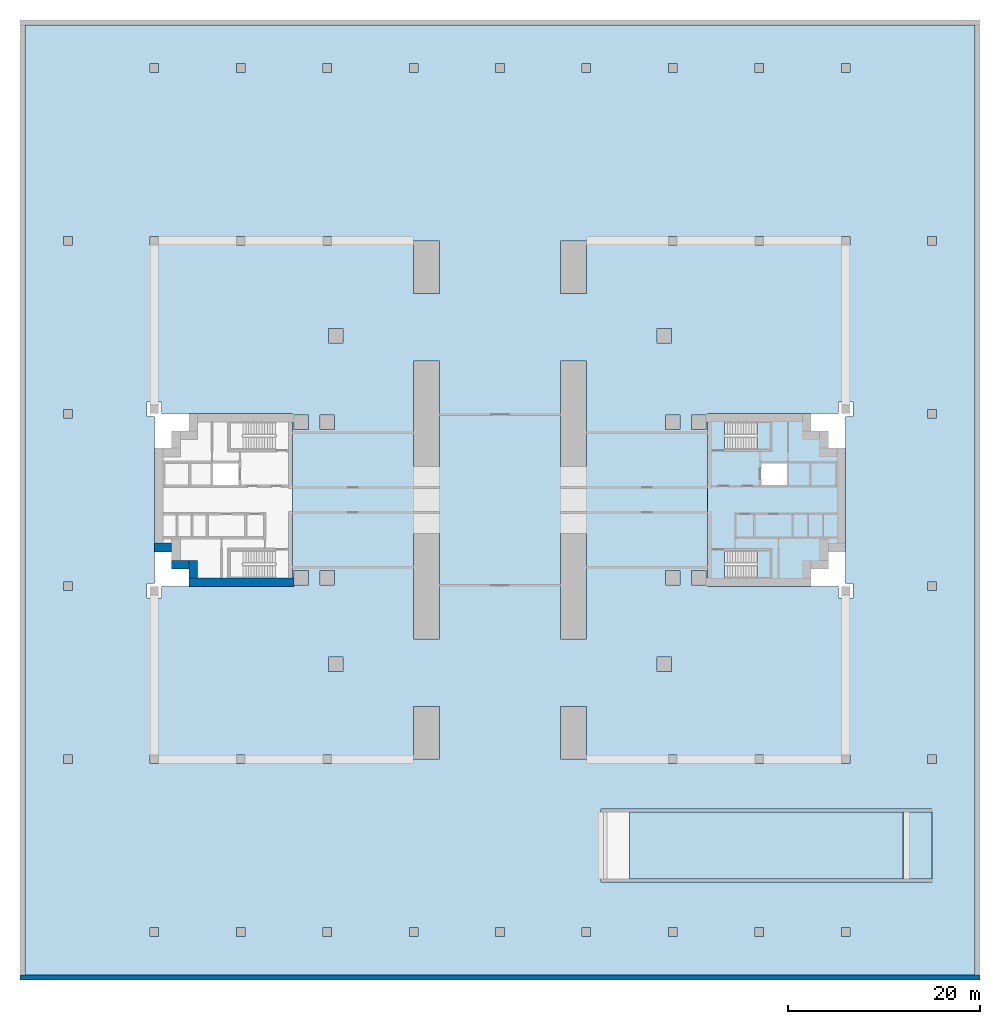
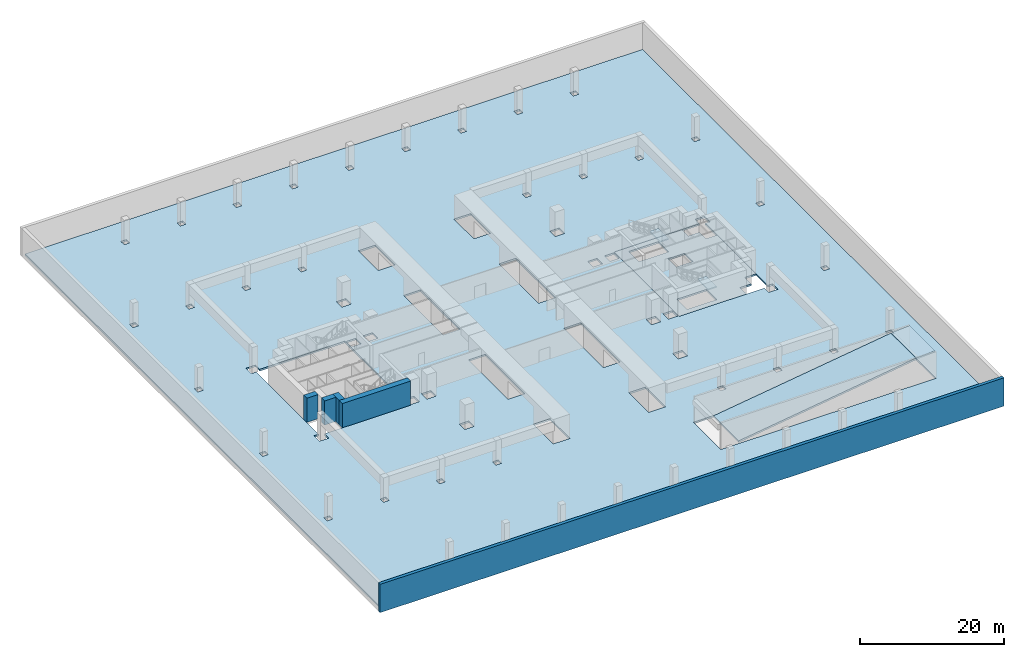
# One storey, part 2 of 9: 6 slabs, 5 walls, 2 elements without a shape of their own.
"""IFC4 building model written with IfcOpenShell, lengths in metres."""

from ifc_helpers import new_model, si_unit, direction, frame, frame_2d, origin, place, context, subcontext, project, spatial, polyline, rectangle, outline, extrude, material, layer, layer_set, type_object, element, aggregate, save


model = new_model("IFC4")

# Units and contexts
model_context = context("Model", 3, precision=1e-05, world=origin(), true_north=direction((0.0, 1.0)))
body_context = subcontext(model_context, "Body", "Model", "MODEL_VIEW")
ifc_project = project(units=[si_unit("LENGTHUNIT", "METRE"), si_unit("AREAUNIT", "SQUARE_METRE"), si_unit("VOLUMEUNIT", "CUBIC_METRE"), si_unit("PLANEANGLEUNIT", "RADIAN"), si_unit("MASSUNIT", "GRAM", prefix="KILO")], contexts=[model_context])

# Site, building, storey
site_placement = place(None, origin())
site = spatial("IfcSite", under=ifc_project, at=site_placement, CompositionType="ELEMENT")
building_placement = place(site_placement, origin())
building = spatial("IfcBuilding", under=site, at=building_placement, Name="Perihelion Cross Residences", CompositionType="ELEMENT")
storey_placement = place(building_placement, frame((0.0, 0.0, -4.5)))
storey = spatial("IfcBuildingStorey", under=building, at=storey_placement, Name="B1", CompositionType="ELEMENT", Elevation=-4.5)

# Slabs
ifc_material_1 = material(Name="Concrete C40/50", Category="concrete")
ifc_layer_1 = layer(ifc_material_1, 0.300048828125)
ifc_layer_set_1 = layer_set([ifc_layer_1], Name="Basement flat plate concrete C40/50")
slab_type_1 = type_object("IfcSlabType", Name="Basement flat plate concrete C40/50", PredefinedType="FLOOR", material=ifc_layer_set_1)
slab_1_placement = place(storey_placement, frame((0.0, 0.0, -0.300048828125)))
element("IfcSlab", 1, at=slab_1_placement, inside=storey, type_object=slab_type_1, Name="Slab SL2 B1 1 no. 1", PredefinedType="FLOOR", context=body_context, shape_type="SweptSolid", body=[
    extrude(outline(polyline([(-49.5, -49.5), (-49.5, 49.5), (49.5, 49.5), (49.5, -49.5), (-49.5, -49.5)]), holes=[polyline([(-18.449951171875, -45.449951171875), (-17.550048828125, -45.449951171875), (-17.550048828125, -44.550048828125), (-18.449951171875, -44.550048828125), (-18.449951171875, -45.449951171875)]), polyline([(-36.449951171875, -45.449951171875), (-35.550048828125, -45.449951171875), (-35.550048828125, -44.550048828125), (-36.449951171875, -44.550048828125), (-36.449951171875, -45.449951171875)]), polyline([(-27.449951171875, -45.449951171875), (-26.550048828125, -45.449951171875), (-26.550048828125, -44.550048828125), (-27.449951171875, -44.550048828125), (-27.449951171875, -45.449951171875)]), polyline([(-45.449951171875, -27.449951171875), (-44.550048828125, -27.449951171875), (-44.550048828125, -26.550048828125), (-45.449951171875, -26.550048828125), (-45.449951171875, -27.449951171875)]), polyline([(-18.449951171875, -27.449951171875), (-17.550048828125, -27.449951171875), (-17.550048828125, -26.550048828125), (-18.449951171875, -26.550048828125), (-18.449951171875, -27.449951171875)]), polyline([(-36.449951171875, -27.449951171875), (-35.550048828125, -27.449951171875), (-35.550048828125, -26.550048828125), (-36.449951171875, -26.550048828125), (-36.449951171875, -27.449951171875)]), polyline([(-27.449951171875, -27.449951171875), (-26.550048828125, -27.449951171875), (-26.550048828125, -26.550048828125), (-27.449951171875, -26.550048828125), (-27.449951171875, -27.449951171875)]), polyline([(-36.75, -10.199951171875), (-35.25, -10.199951171875), (-35.25, -9.0), (-21.60009765625, -9.0), (-21.60009765625, 9.0), (-35.25, 9.0), (-35.25, 10.199951171875), (-36.75, 10.199951171875), (-36.75, 8.699951171875), (-36.0, 8.699951171875), (-36.0, -8.699951171875), (-36.75, -8.699951171875), (-36.75, -10.199951171875)]), polyline([(-45.449951171875, -9.449951171875), (-44.550048828125, -9.449951171875), (-44.550048828125, -8.550048828125), (-45.449951171875, -8.550048828125), (-45.449951171875, -9.449951171875)]), polyline([(-21.449951171875, -8.85009765625), (-19.949951171875, -8.85009765625), (-19.949951171875, -7.35009765625), (-21.449951171875, -7.35009765625), (-21.449951171875, -8.85009765625)]), polyline([(-18.75, 7.35009765625), (-17.25, 7.35009765625), (-17.25, 8.85009765625), (-18.75, 8.85009765625), (-18.75, 7.35009765625)]), polyline([(-21.449951171875, 7.35009765625), (-19.949951171875, 7.35009765625), (-19.949951171875, 8.85009765625), (-21.449951171875, 8.85009765625), (-21.449951171875, 7.35009765625)]), polyline([(-45.449951171875, 8.550048828125), (-44.550048828125, 8.550048828125), (-44.550048828125, 9.449951171875), (-45.449951171875, 9.449951171875), (-45.449951171875, 8.550048828125)]), polyline([(-27.449951171875, 26.550048828125), (-26.550048828125, 26.550048828125), (-26.550048828125, 27.449951171875), (-27.449951171875, 27.449951171875), (-27.449951171875, 26.550048828125)]), polyline([(-36.449951171875, 26.550048828125), (-35.550048828125, 26.550048828125), (-35.550048828125, 27.449951171875), (-36.449951171875, 27.449951171875), (-36.449951171875, 26.550048828125)]), polyline([(-18.449951171875, 26.550048828125), (-17.550048828125, 26.550048828125), (-17.550048828125, 27.449951171875), (-18.449951171875, 27.449951171875), (-18.449951171875, 26.550048828125)]), polyline([(-45.449951171875, 26.550048828125), (-44.550048828125, 26.550048828125), (-44.550048828125, 27.449951171875), (-45.449951171875, 27.449951171875), (-45.449951171875, 26.550048828125)]), polyline([(-27.449951171875, 44.550048828125), (-26.550048828125, 44.550048828125), (-26.550048828125, 45.449951171875), (-27.449951171875, 45.449951171875), (-27.449951171875, 44.550048828125)]), polyline([(-36.449951171875, 44.550048828125), (-35.550048828125, 44.550048828125), (-35.550048828125, 45.449951171875), (-36.449951171875, 45.449951171875), (-36.449951171875, 44.550048828125)]), polyline([(-18.449951171875, 44.550048828125), (-17.550048828125, 44.550048828125), (-17.550048828125, 45.449951171875), (-18.449951171875, 45.449951171875), (-18.449951171875, 44.550048828125)]), polyline([(17.550048828125, -45.449951171875), (18.449951171875, -45.449951171875), (18.449951171875, -44.550048828125), (17.550048828125, -44.550048828125), (17.550048828125, -45.449951171875)]), polyline([(-9.449951171875, -45.449951171875), (-8.550048828125, -45.449951171875), (-8.550048828125, -44.550048828125), (-9.449951171875, -44.550048828125), (-9.449951171875, -45.449951171875)]), polyline([(8.550048828125, -45.449951171875), (9.449951171875, -45.449951171875), (9.449951171875, -44.550048828125), (8.550048828125, -44.550048828125), (8.550048828125, -45.449951171875)]), polyline([(-0.449951171875, -45.449951171875), (0.449951171875, -45.449951171875), (0.449951171875, -44.550048828125), (-0.449951171875, -44.550048828125), (-0.449951171875, -45.449951171875)]), polyline([(6.300048828125, -27.0), (9.0, -27.0), (9.0, -21.5), (6.300048828125, -21.5), (6.300048828125, -27.0)]), polyline([(-9.0, -27.0), (-6.300048828125, -27.0), (-6.300048828125, -21.5), (-9.0, -21.5), (-9.0, -27.0)]), polyline([(-17.85009765625, -17.85009765625), (-16.35009765625, -17.85009765625), (-16.35009765625, -16.35009765625), (-17.85009765625, -16.35009765625), (-17.85009765625, -17.85009765625)]), polyline([(16.35009765625, -17.85009765625), (17.85009765625, -17.85009765625), (17.85009765625, -16.35009765625), (16.35009765625, -16.35009765625), (16.35009765625, -17.85009765625)]), polyline([(-9.0, -14.5), (-6.300048828125, -14.5), (-6.300048828125, -3.5), (-9.0, -3.5), (-9.0, -14.5)]), polyline([(6.300048828125, -14.5), (9.0, -14.5), (9.0, -3.5), (6.300048828125, -3.5), (6.300048828125, -14.5)]), polyline([(-18.75, -8.85009765625), (-17.25, -8.85009765625), (-17.25, -7.35009765625), (-18.75, -7.35009765625), (-18.75, -8.85009765625)]), polyline([(17.25, 7.35009765625), (18.75, 7.35009765625), (18.75, 8.85009765625), (17.25, 8.85009765625), (17.25, 7.35009765625)]), polyline([(-9.0, 3.5), (-6.300048828125, 3.5), (-6.300048828125, 14.5), (-9.0, 14.5), (-9.0, 3.5)]), polyline([(6.300048828125, 3.5), (9.0, 3.5), (9.0, 14.5), (6.300048828125, 14.5), (6.300048828125, 3.5)]), polyline([(16.35009765625, 16.35009765625), (17.85009765625, 16.35009765625), (17.85009765625, 17.85009765625), (16.35009765625, 17.85009765625), (16.35009765625, 16.35009765625)]), polyline([(-17.85009765625, 16.35009765625), (-16.35009765625, 16.35009765625), (-16.35009765625, 17.85009765625), (-17.85009765625, 17.85009765625), (-17.85009765625, 16.35009765625)]), polyline([(6.300048828125, 21.5), (9.0, 21.5), (9.0, 27.0), (6.300048828125, 27.0), (6.300048828125, 21.5)]), polyline([(-9.0, 21.5), (-6.300048828125, 21.5), (-6.300048828125, 27.0), (-9.0, 27.0), (-9.0, 21.5)]), polyline([(-0.449951171875, 44.550048828125), (0.449951171875, 44.550048828125), (0.449951171875, 45.449951171875), (-0.449951171875, 45.449951171875), (-0.449951171875, 44.550048828125)]), polyline([(-9.449951171875, 44.550048828125), (-8.550048828125, 44.550048828125), (-8.550048828125, 45.449951171875), (-9.449951171875, 45.449951171875), (-9.449951171875, 44.550048828125)]), polyline([(8.550048828125, 44.550048828125), (9.449951171875, 44.550048828125), (9.449951171875, 45.449951171875), (8.550048828125, 45.449951171875), (8.550048828125, 44.550048828125)]), polyline([(17.550048828125, 44.550048828125), (18.449951171875, 44.550048828125), (18.449951171875, 45.449951171875), (17.550048828125, 45.449951171875), (17.550048828125, 44.550048828125)]), polyline([(26.550048828125, -45.449951171875), (27.449951171875, -45.449951171875), (27.449951171875, -44.550048828125), (26.550048828125, -44.550048828125), (26.550048828125, -45.449951171875)]), polyline([(35.550048828125, -45.449951171875), (36.449951171875, -45.449951171875), (36.449951171875, -44.550048828125), (35.550048828125, -44.550048828125), (35.550048828125, -45.449951171875)]), polyline([(10.5, -39.800048828125), (45.0, -39.800048828125), (45.0, -32.199951171875), (10.5, -32.199951171875), (10.5, -39.800048828125)]), polyline([(44.550048828125, -27.449951171875), (45.449951171875, -27.449951171875), (45.449951171875, -26.550048828125), (44.550048828125, -26.550048828125), (44.550048828125, -27.449951171875)]), polyline([(35.550048828125, -27.449951171875), (36.449951171875, -27.449951171875), (36.449951171875, -26.550048828125), (35.550048828125, -26.550048828125), (35.550048828125, -27.449951171875)]), polyline([(26.550048828125, -27.449951171875), (27.449951171875, -27.449951171875), (27.449951171875, -26.550048828125), (26.550048828125, -26.550048828125), (26.550048828125, -27.449951171875)]), polyline([(17.550048828125, -27.449951171875), (18.449951171875, -27.449951171875), (18.449951171875, -26.550048828125), (17.550048828125, -26.550048828125), (17.550048828125, -27.449951171875)]), polyline([(35.25, -10.199951171875), (36.75, -10.199951171875), (36.75, -8.699951171875), (36.0, -8.699951171875), (36.0, 8.699951171875), (36.75, 8.699951171875), (36.75, 10.199951171875), (35.25, 10.199951171875), (35.25, 9.0), (21.60009765625, 9.0), (21.60009765625, -9.0), (35.25, -9.0), (35.25, -10.199951171875)]), polyline([(44.550048828125, -9.449951171875), (45.449951171875, -9.449951171875), (45.449951171875, -8.550048828125), (44.550048828125, -8.550048828125), (44.550048828125, -9.449951171875)]), polyline([(17.25, -8.85009765625), (18.75, -8.85009765625), (18.75, -7.35009765625), (17.25, -7.35009765625), (17.25, -8.85009765625)]), polyline([(19.949951171875, -8.85009765625), (21.449951171875, -8.85009765625), (21.449951171875, -7.35009765625), (19.949951171875, -7.35009765625), (19.949951171875, -8.85009765625)]), polyline([(19.949951171875, 7.35009765625), (21.449951171875, 7.35009765625), (21.449951171875, 8.85009765625), (19.949951171875, 8.85009765625), (19.949951171875, 7.35009765625)]), polyline([(44.550048828125, 8.550048828125), (45.449951171875, 8.550048828125), (45.449951171875, 9.449951171875), (44.550048828125, 9.449951171875), (44.550048828125, 8.550048828125)]), polyline([(35.550048828125, 26.550048828125), (36.449951171875, 26.550048828125), (36.449951171875, 27.449951171875), (35.550048828125, 27.449951171875), (35.550048828125, 26.550048828125)]), polyline([(26.550048828125, 26.550048828125), (27.449951171875, 26.550048828125), (27.449951171875, 27.449951171875), (26.550048828125, 27.449951171875), (26.550048828125, 26.550048828125)]), polyline([(44.550048828125, 26.550048828125), (45.449951171875, 26.550048828125), (45.449951171875, 27.449951171875), (44.550048828125, 27.449951171875), (44.550048828125, 26.550048828125)]), polyline([(17.550048828125, 26.550048828125), (18.449951171875, 26.550048828125), (18.449951171875, 27.449951171875), (17.550048828125, 27.449951171875), (17.550048828125, 26.550048828125)]), polyline([(35.550048828125, 45.449951171875), (35.550048828125, 44.550048828125), (36.449951171875, 44.550048828125), (36.449951171875, 45.449951171875), (35.550048828125, 45.449951171875)]), polyline([(26.550048828125, 45.449951171875), (26.550048828125, 44.550048828125), (27.449951171875, 44.550048828125), (27.449951171875, 45.449951171875), (26.550048828125, 45.449951171875)])]), origin(), (0.0, 0.0, 1.0), 0.300048828125),
])
ifc_material_2 = material(Name="Concrete C40/50", Category="concrete")
ifc_layer_2 = layer(ifc_material_2, 0.300048828125)
ifc_layer_set_2 = layer_set([ifc_layer_2], Name="Core floor slab 300")
slab_type_2 = type_object("IfcSlabType", Name="Core floor slab 300", PredefinedType="FLOOR", material=ifc_layer_set_2)
slab_2_placement = place(storey_placement, frame((0.0, 0.0, -0.300048828125)))
element("IfcSlab", 2, at=slab_2_placement, inside=storey, type_object=slab_type_2, Name="East core floor slab", PredefinedType="FLOOR", context=body_context, shape_type="SweptSolid", body=[
    extrude(outline(polyline([(32.39990234375, 7.199951171875), (34.199951171875, 7.199951171875), (34.199951171875, 5.39990234375), (36.0, 5.39990234375), (36.0, -5.39990234375), (34.199951171875, -5.39990234375), (34.199951171875, -7.199951171875), (32.39990234375, -7.199951171875), (32.39990234375, -9.0), (21.60009765625, -9.0), (21.60009765625, 9.0), (32.39990234375, 9.0), (32.39990234375, 7.199951171875)]), holes=[polyline([(28.14990234375, -5.25), (23.405029296875, -5.25), (23.405029296875, -8.10009765625), (28.14990234375, -8.10009765625), (28.14990234375, -5.25)]), polyline([(27.199951171875, 1.550048828125), (29.89990234375, 1.550048828125), (29.89990234375, 3.85009765625), (27.199951171875, 3.85009765625), (27.199951171875, 1.550048828125)]), polyline([(28.14990234375, 5.25), (28.14990234375, 8.10009765625), (23.405029296875, 8.10009765625), (23.405029296875, 5.25), (28.14990234375, 5.25)])]), origin(), (0.0, 0.0, 1.0), 0.300048828125),
])

# Stair, slab
ifc_material_3 = material(Name="Concrete C40/50", Category="concrete")
stair_type = type_object("IfcStairType", Name="Exit stair, half-turn", PredefinedType="HALF_TURN_STAIR", material=ifc_material_3)
stair_1_placement = place(storey_placement, origin())
stair_1 = element("IfcStair", 3, at=stair_1_placement, inside=storey, type_object=stair_type, Name="B1 East core exit stair 1", PredefinedType="HALF_TURN_STAIR")
ifc_material_4 = material(Name="Concrete C40/50", Category="concrete")
ifc_layer_3 = layer(ifc_material_4, 0.199951171875)
ifc_layer_set_3 = layer_set([ifc_layer_3], Name="Exit stair landing 200")
slab_type_3 = type_object("IfcSlabType", Name="Exit stair landing 200", PredefinedType="LANDING", material=ifc_layer_set_3)
slab_3_placement = place(storey_placement, frame((0.0, 0.0, 2.050048828125)))
slab_3 = element("IfcSlab", 4, at=slab_3_placement, type_object=slab_type_3, Name="ST-E1 landing 1", PredefinedType="LANDING", context=body_context, shape_type="SweptSolid", body=[
    extrude(outline(polyline([(26.760009765625, 5.25), (28.14990234375, 5.25), (28.14990234375, 8.10009765625), (26.760009765625, 8.10009765625), (26.760009765625, 5.25)])), origin(), (0.0, 0.0, 1.0), 0.199951171875),
])
aggregate(stair_1, [slab_3])

stair_2_placement = place(storey_placement, origin())
stair_2 = element("IfcStair", 5, at=stair_2_placement, inside=storey, type_object=stair_type, Name="B1 East core exit stair 2", PredefinedType="HALF_TURN_STAIR")
slab_4_placement = place(storey_placement, frame((0.0, 0.0, 2.050048828125)))
slab_4 = element("IfcSlab", 6, at=slab_4_placement, type_object=slab_type_3, Name="ST-E2 landing 1", PredefinedType="LANDING", context=body_context, shape_type="SweptSolid", body=[
    extrude(outline(polyline([(26.760009765625, -8.10009765625), (28.14990234375, -8.10009765625), (28.14990234375, -5.25), (26.760009765625, -5.25), (26.760009765625, -8.10009765625)])), origin(), (0.0, 0.0, 1.0), 0.199951171875),
])
aggregate(stair_2, [slab_4])

# Slabs
ifc_material_5 = material(Name="Concrete C40/50", Category="concrete")
ifc_layer_4 = layer(ifc_material_5, 0.300048828125)
ifc_layer_set_4 = layer_set([ifc_layer_4], Name="Vehicle ramp slab 300 concrete C40/50")
slab_type_4 = type_object("IfcSlabType", Name="Vehicle ramp slab 300 concrete C40/50", PredefinedType="USERDEFINED", material=ifc_layer_set_4)
slab_5_placement = place(storey_placement, frame((45.0, -39.5, 4.5), z_axis=(-0.071252843641, 0.0, 0.997458285981), x_axis=(-0.997458285981, 0.0, -0.071252843641)))
element("IfcSlab", 7, at=slab_5_placement, inside=storey, type_object=slab_type_4, Name="Vehicle ramp L00 to B1 slab 1", ObjectType="VEHICLE RAMP", PredefinedType="USERDEFINED", context=body_context, shape_type="SweptSolid", body=[
    extrude(outline(polyline([(0.0, 0.0), (2.9946721470520976, 0.0), (2.9946721470520976, -7.0), (0.0, -7.0), (0.0, 0.0)])), origin(), (0.0, 0.0, -1.0), 0.300048828125),
])
slab_6_placement = place(storey_placement, frame((41.987060546875, -39.5, 4.283935546875), z_axis=(-0.141426109484, 0.0, 0.989948814614), x_axis=(-0.989948814614, 0.0, -0.141426109484)))
element("IfcSlab", 8, at=slab_6_placement, inside=storey, type_object=slab_type_4, Name="Vehicle ramp L00 to B1 slab 2", ObjectType="VEHICLE RAMP", PredefinedType="USERDEFINED", context=body_context, shape_type="SweptSolid", body=[
    extrude(outline(polyline([(0.0, 0.0), (28.76322560661279, 0.0), (28.76322560661279, -7.0), (0.0, -7.0), (0.0, 0.0)])), origin(), (0.0, 0.0, -1.0), 0.300048828125),
])

# Walls
ifc_material_6 = material(Name="Concrete C40/50", Category="concrete")
ifc_layer_5 = layer(ifc_material_6, 0.5)
ifc_layer_set_5 = layer_set([ifc_layer_5], Name="Basement retaining wall 500 concrete C40/50")
wall_type_1 = type_object("IfcWallType", Name="Basement retaining wall 500 concrete C40/50", PredefinedType="SOLIDWALL", material=ifc_layer_set_5)
wall_1_placement = place(storey_placement, frame((-50.0, -49.75, -0.300048828125), z_axis=(0.0, 0.0, 1.0), x_axis=(1.0, 0.0, 0.0)))
element("IfcWall", 9, at=wall_1_placement, inside=storey, type_object=wall_type_1, Name="Wall SW1 B1 retaining south", PredefinedType="SOLIDWALL", context=body_context, shape_type="SweptSolid", body=[
    extrude(rectangle(XDim=100.0, YDim=0.5, at=frame_2d((50.0, 0.0))), origin(), (0.0, 0.0, 1.0), 4.800048828125),
])
ifc_material_7 = material(Name="Concrete C60/75", Category="concrete")
ifc_layer_6 = layer(ifc_material_7, 0.89990234375)
ifc_layer_set_6 = layer_set([ifc_layer_6], Name="Core wall, outer 900")
wall_type_2 = type_object("IfcWallType", Name="Core wall, outer 900", PredefinedType="SHEAR", material=ifc_layer_set_6)
wall_2_placement = place(storey_placement, frame((-32.39990234375, -8.550048828125, 0.0), z_axis=(0.0, 0.0, 1.0), x_axis=(1.0, 0.0, 0.0)))
element("IfcWall", 10, at=wall_2_placement, inside=storey, type_object=wall_type_2, Name="West core core wall, outer", PredefinedType="SHEAR", context=body_context, shape_type="SweptSolid", body=[
    extrude(rectangle(XDim=10.949951171875, YDim=0.89990234375, at=frame_2d((5.47509765625, 0.0))), origin(), (0.0, 0.0, 1.0), 4.10009765625),
])
for number, where, z_axis, x_axis, name in (
    (11, (-31.949951171875, -8.10009765625, 0.0), (0.0, 0.0, 1.0), (0.0, 1.0, 0.0), "West core core wall, outer"),
    (12, (-34.199951171875, -6.75, 0.0), (0.0, 0.0, 1.0), (1.0, 0.0, 0.0), "West core core wall, outer"),
    (13, (-36.0, -4.949951171875, 0.0), (0.0, 0.0, 1.0), (1.0, 0.0, 0.0), "West core core wall, outer"),
):
    element("IfcWall", number, at=place(storey_placement, frame(where, z_axis=z_axis, x_axis=x_axis)), inside=storey, type_object=wall_type_2, Name=name, PredefinedType="SHEAR", context=body_context, shape_type="SweptSolid", body=[
        extrude(rectangle(XDim=1.800048828125, YDim=0.89990234375, at=frame_2d((0.89990234375, 0.0))), origin(), (0.0, 0.0, 1.0), 4.10009765625),
    ])

save(model, "model.ifc")
